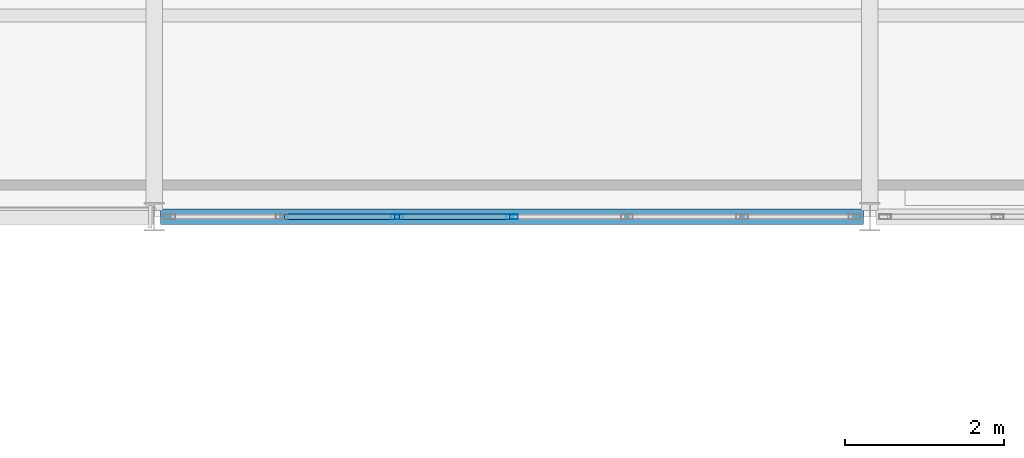
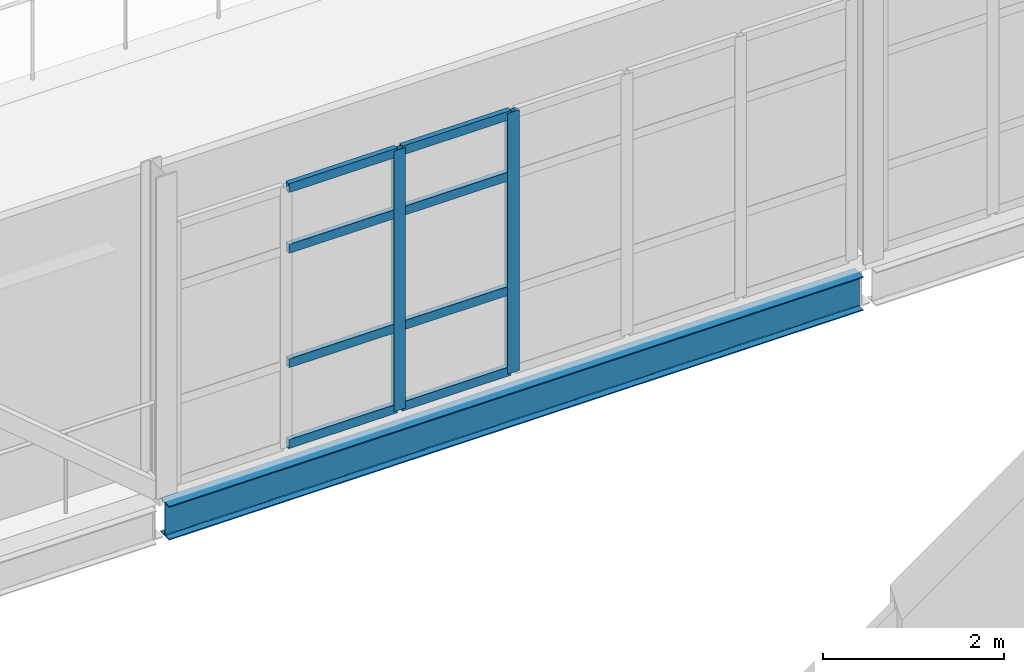
# One storey, part 32 of 174: 10 members, 1 beam, 1 element without a shape of its own.
"""IFC4 building model written with IfcOpenShell, lengths in metres."""

from ifc_helpers import new_model, si_unit, direction, frame, origin, origin_2d, place, context, subcontext, project, spatial, hollow_rectangle, i_section, extrude, material, material_profile, profile_set, type_object, element, aggregate, save


model = new_model("IFC4")

# Units and contexts
model_context = context("Model", 3, precision=1e-05, world=origin(), true_north=direction((0.0, 1.0)))
body_context = subcontext(model_context, "Body", "Model", "MODEL_VIEW")
ifc_project = project(units=[si_unit("LENGTHUNIT", "METRE"), si_unit("AREAUNIT", "SQUARE_METRE"), si_unit("VOLUMEUNIT", "CUBIC_METRE"), si_unit("PLANEANGLEUNIT", "RADIAN"), si_unit("MASSUNIT", "GRAM", prefix="KILO")], contexts=[model_context])

# Site, building, storey
site_placement = place(None, origin())
site = spatial("IfcSite", under=ifc_project, at=site_placement, CompositionType="ELEMENT")
building_placement = place(site_placement, origin())
building = spatial("IfcBuilding", under=site, at=building_placement, Name="Caisbarro Railhouse Central Library", CompositionType="ELEMENT")
storey_placement = place(building_placement, frame((0.0, 0.0, 5.0400390625)))
storey = spatial("IfcBuildingStorey", under=building, at=storey_placement, Name="L01", CompositionType="ELEMENT", Elevation=5.0400390625)

# Beam
ifc_material_1 = material(Name="Steel ASTM A572 Grade 50", Category="steel")
ifc_material_profile_1 = material_profile(ifc_material_1, i_section(OverallWidth=0.18994140625, OverallDepth=0.45703125, WebThickness=0.009033203125, FlangeThickness=0.014404296875, FilletRadius=0.01806640625, at=origin_2d()), Name="W460X74.0")
ifc_profile_set_1 = profile_set([ifc_material_profile_1], Name="Steel ASTM A572 Grade 50")
beam_type = type_object("IfcBeamType", Name="BM-SP01", PredefinedType="SPANDREL", material=ifc_profile_set_1)
beam_placement = place(storey_placement, frame((27.080078125, 30.39990234375, -0.448486328125), z_axis=(1.0, 0.0, 0.0), x_axis=(0.0, 1.0, 0.0)))
element("IfcBeam", 1, at=beam_placement, inside=storey, type_object=beam_type, Name="SP01 beam L01 #793", PredefinedType="SPANDREL", context=body_context, shape_type="SweptSolid", body=[
    extrude(i_section(OverallWidth=0.18994140625, OverallDepth=0.45703125, WebThickness=0.009033203125, FlangeThickness=0.014404296875, FilletRadius=0.01806640625, at=origin_2d()), origin(), (0.0, 0.0, 1.0), 8.83984375),
])

# Curtain wall, members
ifc_material_2 = material(Name="Anodised architectural aluminium", Category="aluminium")
curtain_wall_type = type_object("IfcCurtainWallType", Name="CW-CW02", PredefinedType="NOTDEFINED", material=ifc_material_2)
curtain_wall_placement = place(storey_placement, origin())
curtain_wall = element("IfcCurtainWall", 2, at=curtain_wall_placement, inside=storey, type_object=curtain_wall_type, Name="CW02 curtain wall L01 #35", PredefinedType="NOTDEFINED")
ifc_material_profile_2 = material_profile(ifc_material_2, hollow_rectangle(XDim=0.06494140625, YDim=0.14990234375, WallThickness=0.00390625, at=origin_2d()), Name="ALU-MUL-65X150")
ifc_profile_set_2 = profile_set([ifc_material_profile_2], Name="Anodised architectural aluminium")
member_type_1 = type_object("IfcMemberType", Name="CWM-M02", PredefinedType="MULLION", material=ifc_profile_set_2)
member_1_placement = place(storey_placement, frame((30.05322265625, 30.39990234375, 0.0), z_axis=(0.0, 0.0, 1.0), x_axis=(0.0, 1.0, 0.0)))
member_1 = element("IfcMember", 3, at=member_1_placement, type_object=member_type_1, Name="CW02 mullion 3", PredefinedType="MULLION", context=body_context, shape_type="SweptSolid", body=[
    extrude(hollow_rectangle(XDim=0.06494140625, YDim=0.14990234375, WallThickness=0.00390625, at=origin_2d()), origin(), (0.0, 0.0, 1.0), 3.510009765625),
])
member_2_placement = place(storey_placement, frame((31.5, 30.39990234375, 0.0), z_axis=(0.0, 0.0, 1.0), x_axis=(0.0, 1.0, 0.0)))
member_2 = element("IfcMember", 4, at=member_2_placement, type_object=member_type_1, Name="CW02 mullion 4", PredefinedType="MULLION", context=body_context, shape_type="SweptSolid", body=[
    extrude(hollow_rectangle(XDim=0.06494140625, YDim=0.14990234375, WallThickness=0.00390625, at=origin_2d()), origin(), (0.0, 0.0, 1.0), 3.510009765625),
])
ifc_material_profile_3 = material_profile(ifc_material_2, hollow_rectangle(XDim=0.06494140625, YDim=0.1201171875, WallThickness=0.00341796875, at=origin_2d()), Name="ALU-TRN-65X120")
ifc_profile_set_3 = profile_set([ifc_material_profile_3], Name="Anodised architectural aluminium")
member_type_2 = type_object("IfcMemberType", Name="CWT-T02", PredefinedType="USERDEFINED", material=ifc_profile_set_3)
member_3_placement = place(storey_placement, frame((28.63916015625, 30.39990234375, 0.032470703125), z_axis=(1.0, 0.0, 0.0), x_axis=(0.0, 1.0, 0.0)))
member_3 = element("IfcMember", 5, at=member_3_placement, type_object=member_type_2, Name="CW02 transom 2.1", ObjectType="TRANSOM", PredefinedType="USERDEFINED", context=body_context, shape_type="SweptSolid", body=[
    extrude(hollow_rectangle(XDim=0.06494140625, YDim=0.1201171875, WallThickness=0.00341796875, at=origin_2d()), origin(), (0.0, 0.0, 1.0), 1.381591796875),
])
member_4_placement = place(storey_placement, frame((28.63916015625, 30.39990234375, 1.119873046875), z_axis=(1.0, 0.0, 0.0), x_axis=(0.0, 1.0, 0.0)))
member_4 = element("IfcMember", 6, at=member_4_placement, type_object=member_type_2, Name="CW02 transom 2.2", ObjectType="TRANSOM", PredefinedType="USERDEFINED", context=body_context, shape_type="SweptSolid", body=[
    extrude(hollow_rectangle(XDim=0.06494140625, YDim=0.1201171875, WallThickness=0.00341796875, at=origin_2d()), origin(), (0.0, 0.0, 1.0), 1.381591796875),
])
member_5_placement = place(storey_placement, frame((28.63916015625, 30.39990234375, 2.659912109375), z_axis=(1.0, 0.0, 0.0), x_axis=(0.0, 1.0, 0.0)))
member_5 = element("IfcMember", 7, at=member_5_placement, type_object=member_type_2, Name="CW02 transom 2.3", ObjectType="TRANSOM", PredefinedType="USERDEFINED", context=body_context, shape_type="SweptSolid", body=[
    extrude(hollow_rectangle(XDim=0.06494140625, YDim=0.1201171875, WallThickness=0.00341796875, at=origin_2d()), origin(), (0.0, 0.0, 1.0), 1.381591796875),
])
member_6_placement = place(storey_placement, frame((28.63916015625, 30.39990234375, 3.4775390625), z_axis=(1.0, 0.0, 0.0), x_axis=(0.0, 1.0, 0.0)))
member_6 = element("IfcMember", 8, at=member_6_placement, type_object=member_type_2, Name="CW02 transom 2.4", ObjectType="TRANSOM", PredefinedType="USERDEFINED", context=body_context, shape_type="SweptSolid", body=[
    extrude(hollow_rectangle(XDim=0.06494140625, YDim=0.1201171875, WallThickness=0.00341796875, at=origin_2d()), origin(), (0.0, 0.0, 1.0), 1.381591796875),
])
member_7_placement = place(storey_placement, frame((30.0859375, 30.39990234375, 0.032470703125), z_axis=(1.0, 0.0, 0.0), x_axis=(0.0, 1.0, 0.0)))
member_7 = element("IfcMember", 9, at=member_7_placement, type_object=member_type_2, Name="CW02 transom 3.1", ObjectType="TRANSOM", PredefinedType="USERDEFINED", context=body_context, shape_type="SweptSolid", body=[
    extrude(hollow_rectangle(XDim=0.06494140625, YDim=0.1201171875, WallThickness=0.00341796875, at=origin_2d()), origin(), (0.0, 0.0, 1.0), 1.381591796875),
])
member_8_placement = place(storey_placement, frame((30.0859375, 30.39990234375, 1.119873046875), z_axis=(1.0, 0.0, 0.0), x_axis=(0.0, 1.0, 0.0)))
member_8 = element("IfcMember", 10, at=member_8_placement, type_object=member_type_2, Name="CW02 transom 3.2", ObjectType="TRANSOM", PredefinedType="USERDEFINED", context=body_context, shape_type="SweptSolid", body=[
    extrude(hollow_rectangle(XDim=0.06494140625, YDim=0.1201171875, WallThickness=0.00341796875, at=origin_2d()), origin(), (0.0, 0.0, 1.0), 1.381591796875),
])
member_9_placement = place(storey_placement, frame((30.0859375, 30.39990234375, 2.659912109375), z_axis=(1.0, 0.0, 0.0), x_axis=(0.0, 1.0, 0.0)))
member_9 = element("IfcMember", 11, at=member_9_placement, type_object=member_type_2, Name="CW02 transom 3.3", ObjectType="TRANSOM", PredefinedType="USERDEFINED", context=body_context, shape_type="SweptSolid", body=[
    extrude(hollow_rectangle(XDim=0.06494140625, YDim=0.1201171875, WallThickness=0.00341796875, at=origin_2d()), origin(), (0.0, 0.0, 1.0), 1.381591796875),
])
member_10_placement = place(storey_placement, frame((30.0859375, 30.39990234375, 3.4775390625), z_axis=(1.0, 0.0, 0.0), x_axis=(0.0, 1.0, 0.0)))
member_10 = element("IfcMember", 12, at=member_10_placement, type_object=member_type_2, Name="CW02 transom 3.4", ObjectType="TRANSOM", PredefinedType="USERDEFINED", context=body_context, shape_type="SweptSolid", body=[
    extrude(hollow_rectangle(XDim=0.06494140625, YDim=0.1201171875, WallThickness=0.00341796875, at=origin_2d()), origin(), (0.0, 0.0, 1.0), 1.381591796875),
])
aggregate(curtain_wall, [member_1, member_2, member_3, member_4, member_5, member_6, member_7, member_8, member_9, member_10])

save(model, "model.ifc")
